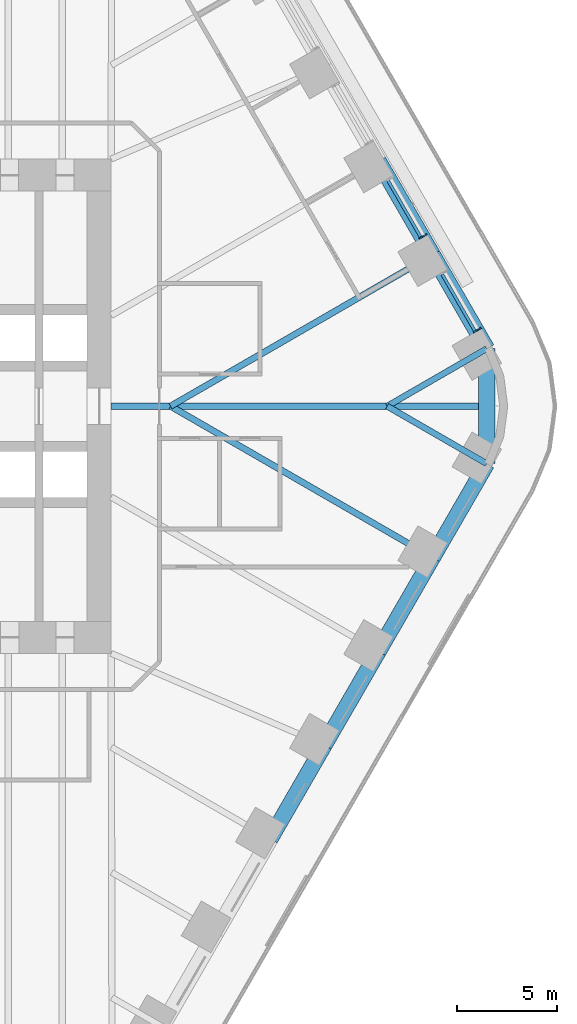
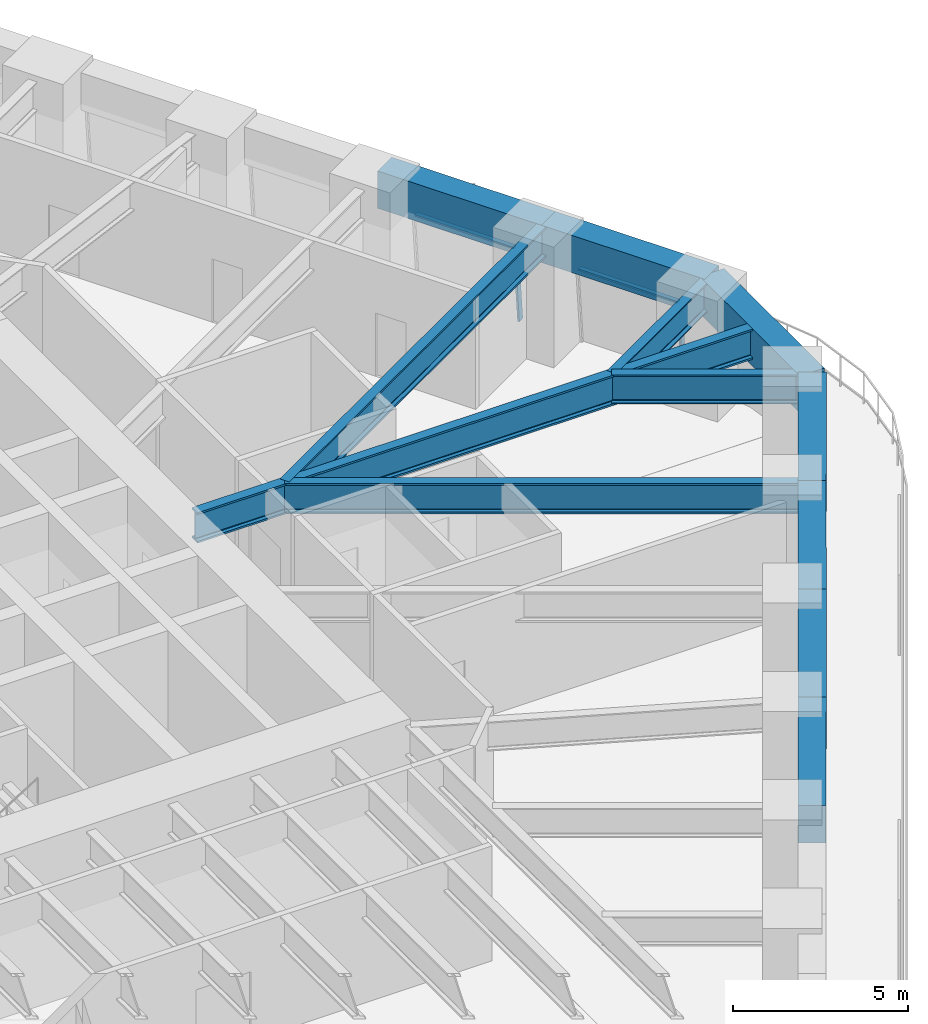
# One storey, part 12 of 24: 12 beams, 4 members, 2 elements without a shape of their own.
"""IFC4 building model written with IfcOpenShell, lengths in metres."""

from ifc_helpers import new_model, si_unit, direction, frame, origin, origin_2d, place, context, subcontext, project, spatial, rectangle, i_section, extrude, material, material_profile, profile_set, type_object, element, aggregate, save


model = new_model("IFC4")

# Units and contexts
model_context = context("Model", 3, precision=1e-05, world=origin(), true_north=direction((0.0, 1.0)))
body_context = subcontext(model_context, "Body", "Model", "MODEL_VIEW")
ifc_project = project(units=[si_unit("LENGTHUNIT", "METRE"), si_unit("AREAUNIT", "SQUARE_METRE"), si_unit("VOLUMEUNIT", "CUBIC_METRE"), si_unit("PLANEANGLEUNIT", "RADIAN"), si_unit("MASSUNIT", "GRAM", prefix="KILO")], contexts=[model_context])

# Site, building, storey
site_placement = place(None, origin())
site = spatial("IfcSite", under=ifc_project, at=site_placement, CompositionType="ELEMENT")
building_placement = place(site_placement, origin())
building = spatial("IfcBuilding", under=site, at=building_placement, Name="Tarfa Lantern Tower", CompositionType="ELEMENT")
storey_placement = place(building_placement, frame((0.0, 0.0, 65.5)))
storey = spatial("IfcBuildingStorey", under=building, at=storey_placement, Name="L14", CompositionType="ELEMENT", Elevation=65.5)

# Curtain wall, member
ifc_material_1 = material(Name="Aluminium framed curtain wall", Category="aluminium")
curtain_wall_type = type_object("IfcCurtainWallType", Name="CW1 CANTED GLAZING LOW ZONE 2700", PredefinedType="USERDEFINED", material=ifc_material_1)
curtain_wall_1_placement = place(storey_placement, origin())
curtain_wall_1 = element("IfcCurtainWall", 1, at=curtain_wall_1_placement, inside=storey, type_object=curtain_wall_type, Name="CW1 NE L14", ObjectType="CURTAIN WALL", PredefinedType="USERDEFINED")
ifc_material_2 = material(Name="Aluminium mullion", Category="aluminium")
ifc_material_profile_1 = material_profile(ifc_material_2, rectangle(XDim=0.06494140625, YDim=0.199951171875, at=origin_2d()), Name="AL MULLION 65x200")
ifc_profile_set_1 = profile_set([ifc_material_profile_1], Name="Aluminium mullion")
member_type_1 = type_object("IfcMemberType", Name="CWM1 MULLION 65x200", PredefinedType="MULLION", material=ifc_profile_set_1)
member_1_placement = place(storey_placement, frame((36.9248046875, 3.84423828125, 0.0), z_axis=(-0.079774955866, -0.04610020023, 0.995746317068), x_axis=(0.500342721131, -0.865827443207, 0.0)))
member_1 = element("IfcMember", 2, at=member_1_placement, type_object=member_type_1, Name="CW1 mullion 1", PredefinedType="MULLION", context=body_context, shape_type="SweptSolid", body=[
    extrude(rectangle(XDim=0.06494140625, YDim=0.199951171875, at=origin_2d()), origin(), (0.0, 0.0, 1.0), 2.71142578125),
])

curtain_wall_2_placement = place(storey_placement, origin())
curtain_wall_2 = element("IfcCurtainWall", 3, at=curtain_wall_2_placement, inside=storey, type_object=curtain_wall_type, Name="CW1 NE L14", ObjectType="CURTAIN WALL", PredefinedType="USERDEFINED")
member_2_placement = place(storey_placement, frame((34.230712890625, 8.5107421875, 0.0), z_axis=(-0.07986442134, -0.046099868913, 0.99573916077), x_axis=(0.499919672301, -0.866071776036, 0.0)))
member_2 = element("IfcMember", 4, at=member_2_placement, type_object=member_type_1, Name="CW1 mullion 1", PredefinedType="MULLION", context=body_context, shape_type="SweptSolid", body=[
    extrude(rectangle(XDim=0.06494140625, YDim=0.199951171875, at=origin_2d()), origin(), (0.0, 0.0, 1.0), 2.71142578125),
])

# Member
ifc_material_3 = material(Name="Aluminium transom", Category="aluminium")
ifc_material_profile_2 = material_profile(ifc_material_3, rectangle(XDim=0.14990234375, YDim=0.06494140625, at=origin_2d()), Name="AL TRANSOM 150x65")
ifc_profile_set_2 = profile_set([ifc_material_profile_2], Name="Aluminium transom")
member_type_2 = type_object("IfcMemberType", Name="CWT1 TRANSOM 150x65", PredefinedType="USERDEFINED", material=ifc_profile_set_2)
member_3_placement = place(storey_placement, frame((36.69482421875, 3.748779296875, 2.66748046875), z_axis=(-0.500022939057, 0.866012159509, 0.0), x_axis=(-0.866012159509, -0.500022939057, 0.0)))
member_3 = element("IfcMember", 5, at=member_3_placement, type_object=member_type_2, Name="CW1 transom 1.2", ObjectType="TRANSOM", PredefinedType="USERDEFINED", context=body_context, shape_type="SweptSolid", body=[
    extrude(rectangle(XDim=0.14990234375, YDim=0.06494140625, at=origin_2d()), origin(), (0.0, 0.0, 1.0), 3.258544921875),
])

aggregate(curtain_wall_1, [member_1, member_3])

member_4_placement = place(storey_placement, frame((34.00048828125, 8.41552734375, 2.66748046875), z_axis=(-0.500022939057, 0.866012159509, 0.0), x_axis=(-0.866012159509, -0.500022939057, 0.0)))
member_4 = element("IfcMember", 6, at=member_4_placement, type_object=member_type_2, Name="CW1 transom 1.2", ObjectType="TRANSOM", PredefinedType="USERDEFINED", context=body_context, shape_type="SweptSolid", body=[
    extrude(rectangle(XDim=0.14990234375, YDim=0.06494140625, at=origin_2d()), origin(), (0.0, 0.0, 1.0), 3.258544921875),
])

aggregate(curtain_wall_2, [member_2, member_4])

# Beams
ifc_material_4 = material(Name="Concrete C80/95", Category="concrete")
ifc_material_profile_3 = material_profile(ifc_material_4, rectangle(XDim=0.800048828125, YDim=1.300048828125, at=origin_2d()), Name="RC 800x1300")
ifc_profile_set_3 = profile_set([ifc_material_profile_3], Name="Concrete C80/95")
beam_type_1 = type_object("IfcBeamType", Name="EB1 RC 800x1300", PredefinedType="SPANDREL", material=ifc_profile_set_3)
beam_1_placement = place(storey_placement, frame((37.285400390625, 2.860107421875, 3.35009765625), z_axis=(-0.500017906299, 0.866015065331, 0.0), x_axis=(-0.866015065331, -0.500017906299, 0.0)))
element("IfcBeam", 7, at=beam_1_placement, inside=storey, type_object=beam_type_1, Name="Edge beam NE0", PredefinedType="SPANDREL", context=body_context, shape_type="SweptSolid", body=[
    extrude(rectangle(XDim=0.800048828125, YDim=1.300048828125, at=origin_2d()), origin(), (0.0, 0.0, 1.0), 5.388427734375),
])
beam_2_placement = place(storey_placement, frame((34.591064453125, 7.526611328125, 3.35009765625), z_axis=(-0.499998287579, 0.866026392449, 0.0), x_axis=(-0.866026392449, -0.499998287579, 0.0)))
element("IfcBeam", 8, at=beam_2_placement, inside=storey, type_object=beam_type_1, Name="Edge beam NE1", PredefinedType="SPANDREL", context=body_context, shape_type="SweptSolid", body=[
    extrude(rectangle(XDim=0.800048828125, YDim=1.300048828125, at=origin_2d()), origin(), (0.0, 0.0, 1.0), 5.388671875),
])
beam_3_placement = place(storey_placement, frame((26.508056640625, -21.526611328125, 3.35009765625), z_axis=(0.500017906299, 0.866015065331, 0.0), x_axis=(-0.866015065331, 0.500017906299, 0.0)))
element("IfcBeam", 9, at=beam_3_placement, inside=storey, type_object=beam_type_1, Name="Edge beam SE2", PredefinedType="SPANDREL", context=body_context, shape_type="SweptSolid", body=[
    extrude(rectangle(XDim=0.800048828125, YDim=1.300048828125, at=origin_2d()), origin(), (0.0, 0.0, 1.0), 5.388427734375),
])
for number, where, z_axis, x_axis, name in (
    (10, (29.202392578125, -16.860107421875, 3.35009765625), (0.499998287579, 0.866026392449, 0.0), (-0.866026392449, 0.499998287579, 0.0), "Edge beam SE3"),
    (11, (31.896728515625, -12.193359375, 3.35009765625), (0.499998287579, 0.866026392449, 0.0), (-0.866026392449, 0.499998287579, 0.0), "Edge beam SE4"),
):
    element("IfcBeam", number, at=place(storey_placement, frame(where, z_axis=z_axis, x_axis=x_axis)), inside=storey, type_object=beam_type_1, Name=name, PredefinedType="SPANDREL", context=body_context, shape_type="SweptSolid", body=[
        extrude(rectangle(XDim=0.800048828125, YDim=1.300048828125, at=origin_2d()), origin(), (0.0, 0.0, 1.0), 5.388671875),
    ])
beam_4_placement = place(storey_placement, frame((34.591064453125, -7.526611328125, 3.35009765625), z_axis=(0.500017906299, 0.866015065331, 0.0), x_axis=(-0.866015065331, 0.500017906299, 0.0)))
element("IfcBeam", 12, at=beam_4_placement, inside=storey, type_object=beam_type_1, Name="Edge beam SE5", PredefinedType="SPANDREL", context=body_context, shape_type="SweptSolid", body=[
    extrude(rectangle(XDim=0.800048828125, YDim=1.300048828125, at=origin_2d()), origin(), (0.0, 0.0, 1.0), 5.388427734375),
])
beam_5_placement = place(storey_placement, frame((37.285400390625, -2.860107421875, 3.35009765625), z_axis=(0.0, 1.0, 0.0), x_axis=(-1.0, 0.0, 0.0)))
element("IfcBeam", 13, at=beam_5_placement, inside=storey, type_object=beam_type_1, Name="Edge beam SE6", PredefinedType="SPANDREL", context=body_context, shape_type="SweptSolid", body=[
    extrude(rectangle(XDim=0.800048828125, YDim=1.300048828125, at=origin_2d()), origin(), (0.0, 0.0, 1.0), 5.72021484375),
])
ifc_material_5 = material(Name="Steel S460M", Category="steel")
ifc_material_profile_4 = material_profile(ifc_material_5, i_section(OverallWidth=0.302001953125, OverallDepth=1.008056640625, WebThickness=0.02099609375, FlangeThickness=0.0400390625, FilletRadius=0.030029296875, at=origin_2d()), Name="UB1016x305x349")
ifc_profile_set_4 = profile_set([ifc_material_profile_4], Name="Steel S460M")
beam_type_2 = type_object("IfcBeamType", Name="UB1016x305x349", PredefinedType="BEAM", material=ifc_profile_set_4)
for number, where, z_axis, x_axis, name in (
    (14, (37.285400390625, 2.860107421875, 3.495849609375), (-0.866025668288, -0.499999541866, 0.0), (0.499999541866, -0.866025668288, 0.0), "Floor beam NE0"),
    (15, (37.285400390625, -2.860107421875, 3.495849609375), (-0.866025668288, 0.499999541866, 0.0), (-0.499999541866, -0.866025668288, 0.0), "Floor beam SE6"),
):
    element("IfcBeam", number, at=place(storey_placement, frame(where, z_axis=z_axis, x_axis=x_axis)), inside=storey, type_object=beam_type_2, Name=name, PredefinedType="BEAM", context=body_context, shape_type="SweptSolid", body=[
        extrude(i_section(OverallWidth=0.302001953125, OverallDepth=1.008056640625, WebThickness=0.02099609375, FlangeThickness=0.0400390625, FilletRadius=0.030029296875, at=origin_2d()), origin(), (0.0, 0.0, 1.0), 5.72021484375),
    ])
ifc_material_profile_5 = material_profile(ifc_material_5, i_section(OverallWidth=0.314208984375, OverallDepth=1.055908203125, WebThickness=0.035888671875, FlangeThickness=0.06396484375, FilletRadius=0.030029296875, at=origin_2d()), Name="UB1016x305x584")
ifc_profile_set_5 = profile_set([ifc_material_profile_5], Name="Steel S460M")
beam_type_3 = type_object("IfcBeamType", Name="UB1016x305x584", PredefinedType="BEAM", material=ifc_profile_set_5)
beam_6_placement = place(storey_placement, frame((18.60009765625, 0.0, 3.471923828125), z_axis=(1.0, 0.0, 0.0), x_axis=(0.0, 1.0, 0.0)))
element("IfcBeam", 16, at=beam_6_placement, inside=storey, type_object=beam_type_3, Name="Hip girder E", PredefinedType="BEAM", context=body_context, shape_type="SweptSolid", body=[
    extrude(i_section(OverallWidth=0.314208984375, OverallDepth=1.055908203125, WebThickness=0.035888671875, FlangeThickness=0.06396484375, FilletRadius=0.030029296875, at=origin_2d()), origin(), (0.0, 0.0, 1.0), 18.685302734375),
])
for number, where, z_axis, x_axis, name in (
    (17, (34.591064453125, 7.526611328125, 3.471923828125), (-0.86602785945, -0.499995746638, 0.0), (0.499995746638, -0.86602785945, 0.0), "Floor beam NE1"),
    (18, (34.591064453125, -7.526611328125, 3.471923828125), (-0.86602785945, 0.499995746638, 0.0), (-0.499995746638, -0.86602785945, 0.0), "Floor beam SE5"),
):
    element("IfcBeam", number, at=place(storey_placement, frame(where, z_axis=z_axis, x_axis=x_axis)), inside=storey, type_object=beam_type_3, Name=name, PredefinedType="BEAM", context=body_context, shape_type="SweptSolid", body=[
        extrude(i_section(OverallWidth=0.314208984375, OverallDepth=1.055908203125, WebThickness=0.035888671875, FlangeThickness=0.06396484375, FilletRadius=0.030029296875, at=origin_2d()), origin(), (0.0, 0.0, 1.0), 15.053466796875),
    ])

save(model, "model.ifc")
